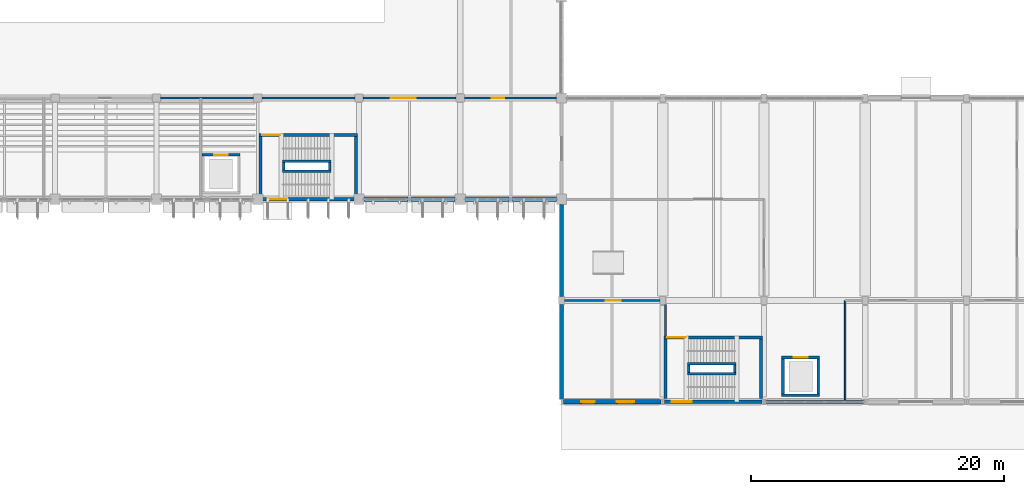
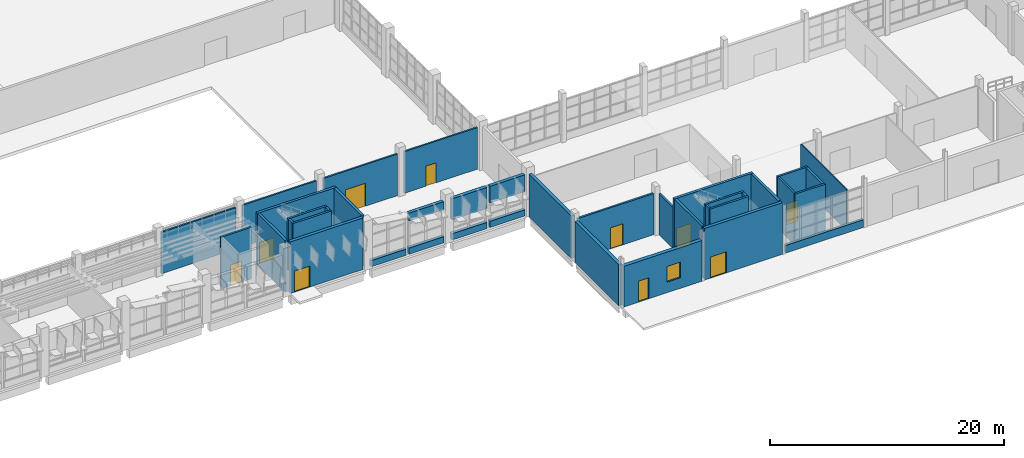
# One storey, part 74 of 103: 39 walls, 10 doors, 1 window, 11 openings.
"""IFC4 building model written with IfcOpenShell, lengths in metres."""

from ifc_helpers import new_model, si_unit, direction, frame, frame_2d, origin, place, context, subcontext, project, spatial, rectangle, extrude, material, layer, layer_set, type_object, element, fill, save


model = new_model("IFC4")

# Units and contexts
model_context = context("Model", 3, precision=1e-05, world=origin(), true_north=direction((0.0, 1.0)))
body_context = subcontext(model_context, "Body", "Model", "MODEL_VIEW")
ifc_project = project(units=[si_unit("LENGTHUNIT", "METRE"), si_unit("AREAUNIT", "SQUARE_METRE"), si_unit("VOLUMEUNIT", "CUBIC_METRE"), si_unit("PLANEANGLEUNIT", "RADIAN"), si_unit("MASSUNIT", "GRAM", prefix="KILO")], contexts=[model_context])

# Site, building, storey
site_placement = place(None, origin())
site = spatial("IfcSite", under=ifc_project, at=site_placement, CompositionType="ELEMENT")
building_placement = place(site_placement, origin())
building = spatial("IfcBuilding", under=site, at=building_placement, Name="Drelvana Railside Aquatics Centre", CompositionType="ELEMENT")
storey_placement = place(building_placement, origin())
storey = spatial("IfcBuildingStorey", under=building, at=storey_placement, Name="L00", CompositionType="ELEMENT", Elevation=0.0)

# Wall, opening, door
ifc_material_1 = material(Name="Concrete blockwork compartment wall", Category="masonry")
ifc_layer_1 = layer(ifc_material_1, 0.18505859375, Name="Concrete blockwork compartment wall")
ifc_layer_set_1 = layer_set([ifc_layer_1], Name="Concrete blockwork compartment wall")
wall_type_1 = type_object("IfcWallType", Name="WL-COMP-185", PredefinedType="STANDARD", material=ifc_layer_set_1)
wall_1_placement = place(storey_placement, frame((96.22705078125, 8.0, 0.0), z_axis=(0.0, 0.0, 1.0), x_axis=(1.0, 0.0, 0.0)))
wall_1 = element("IfcWall", 1, at=wall_1_placement, inside=storey, type_object=wall_type_1, Name="Fire Control Room north wall", PredefinedType="STANDARD", context=body_context, shape_type="SweptSolid", body=[
    extrude(rectangle(XDim=7.5458984375, YDim=0.18505859375, at=frame_2d((3.77294921875, 0.0))), origin(), (0.0, 0.0, 1.0), 4.304931640625),
])
opening_1_placement = place(wall_1_placement, frame((3.27294921875, 0.0, 0.0)))
opening_1 = element("IfcOpeningElement", 2, at=opening_1_placement, cuts=wall_1, Name="Opening D-02-136", PredefinedType="OPENING", context=body_context, shape_type="SweptSolid", body=[
    extrude(rectangle(XDim=1.199951171875, YDim=2.199951171875, at=frame_2d((0.60009765625, 1.10009765625))), frame((0.0, 0.1025390625, 0.0), z_axis=(0.0, -1.0, 0.0), x_axis=(1.0, 0.0, 0.0)), (0.0, 0.0, 1.0), 0.205078125),
])
ifc_material_2 = material(Name="Fire-rated steel stair door", Category="steel")
door_type_1 = type_object("IfcDoorType", Name="DR-INT-STAIR-1200x2200", OperationType="NOTDEFINED", PredefinedType="DOOR", material=ifc_material_2)
door_1_placement = place(opening_1_placement, origin())
door_1 = element("IfcDoor", 3, at=door_1_placement, inside=storey, type_object=door_type_1, Name="Fire Control Room lobby door D-02-136", OperationType="SINGLE_SWING_LEFT", OverallHeight=2.199951171875, OverallWidth=1.199951171875, PredefinedType="DOOR", context=body_context, shape_type="SweptSolid", body=[
    extrude(rectangle(XDim=1.199951171875, YDim=2.199951171875, at=frame_2d((0.60009765625, 1.10009765625))), frame((0.0, 0.02490234375, 0.0), z_axis=(0.0, -1.0, 0.0), x_axis=(1.0, 0.0, 0.0)), (0.0, 0.0, 1.0), 0.050048828125),
])
fill(opening_1, door_1)

# Wall
wall_2_placement = place(storey_placement, frame((104.219970703125, 5.201904296875, 0.0), z_axis=(0.0, 0.0, 1.0), x_axis=(0.0, 1.0, 0.0)))
element("IfcWall", 4, at=wall_2_placement, inside=storey, type_object=wall_type_1, Name="Fire Control Room east closure", PredefinedType="STANDARD", context=body_context, shape_type="SweptSolid", body=[
    extrude(rectangle(XDim=2.47119140625, YDim=0.18505859375, at=frame_2d((1.235595703125, 0.0))), origin(), (0.0, 0.0, 1.0), 4.304931640625),
])

# Wall, opening, door
ifc_material_3 = material(Name="Concrete C40/50", Category="concrete")
ifc_layer_2 = layer(ifc_material_3, 0.25, Name="Concrete C40/50")
ifc_layer_set_2 = layer_set([ifc_layer_2], Name="Concrete C40/50")
wall_type_2 = type_object("IfcWallType", Name="WL-CORE-250", PredefinedType="SHEAR", material=ifc_layer_set_2)
wall_3_placement = place(storey_placement, frame((72.10009765625, 21.074951171875, 0.0), z_axis=(0.0, 0.0, 1.0), x_axis=(1.0, 0.0, 0.0)))
wall_3 = element("IfcWall", 5, at=wall_3_placement, inside=storey, type_object=wall_type_2, Name="Core 2 South-East Pool Hall N core wall (L00)", PredefinedType="SHEAR", context=body_context, shape_type="SweptSolid", body=[
    extrude(rectangle(XDim=7.7998046875, YDim=0.25, at=frame_2d((3.89990234375, 0.0))), origin(), (0.0, 0.0, 1.0), 5.39990234375),
])
opening_2_placement = place(wall_3_placement, frame((0.25, 0.0, 0.0)))
opening_2 = element("IfcOpeningElement", 6, at=opening_2_placement, cuts=wall_3, Name="Opening D-01-010", PredefinedType="OPENING", context=body_context, shape_type="SweptSolid", body=[
    extrude(rectangle(XDim=1.449951171875, YDim=2.199951171875, at=frame_2d((0.72509765625, 1.10009765625))), frame((0.0, 0.135009765625, 0.0), z_axis=(0.0, -1.0, 0.0), x_axis=(1.0, 0.0, 0.0)), (0.0, 0.0, 1.0), 0.27001953125),
])
ifc_material_4 = material(Name="Fire-rated steel and vision-panel door", Category="steel")
door_type_2 = type_object("IfcDoorType", Name="DR-INT-STAIR-1450x2200", OperationType="DOUBLE_DOOR_SINGLE_SWING", PredefinedType="DOOR", material=ifc_material_4)
door_2_placement = place(opening_2_placement, origin())
door_2 = element("IfcDoor", 7, at=door_2_placement, inside=storey, type_object=door_type_2, Name="Stair ST-02 lobby door D-01-010", OperationType="DOUBLE_DOOR_SINGLE_SWING", OverallHeight=2.199951171875, OverallWidth=1.449951171875, PredefinedType="DOOR", context=body_context, shape_type="SweptSolid", body=[
    extrude(rectangle(XDim=1.449951171875, YDim=2.199951171875, at=frame_2d((0.72509765625, 1.10009765625))), frame((0.0, 0.02490234375, 0.0), z_axis=(0.0, -1.0, 0.0), x_axis=(1.0, 0.0, 0.0)), (0.0, 0.0, 1.0), 0.050048828125),
])
fill(opening_2, door_2)

# Walls
for number, where, z_axis, x_axis, name in (
    (8, (72.22509765625, 16.25, 0.0), (0.0, 0.0, 1.0), (0.0, 1.0, 0.0), "Core 2 South-East Pool Hall W core wall (L00)"),
    (9, (79.77490234375, 16.25, 0.0), (0.0, 0.0, 1.0), (0.0, 1.0, 0.0), "Core 2 South-East Pool Hall E core wall (L00)"),
):
    element("IfcWall", number, at=place(storey_placement, frame(where, z_axis=z_axis, x_axis=x_axis)), inside=storey, type_object=wall_type_2, Name=name, PredefinedType="SHEAR", context=body_context, shape_type="SweptSolid", body=[
        extrude(rectangle(XDim=4.699951171875, YDim=0.25, at=frame_2d((2.35009765625, 0.0))), origin(), (0.0, 0.0, 1.0), 5.39990234375),
    ])

# Wall, opening, door
wall_4_placement = place(storey_placement, frame((104.10009765625, 5.074951171875, 0.0), z_axis=(0.0, 0.0, 1.0), x_axis=(1.0, 0.0, 0.0)))
wall_4 = element("IfcWall", 10, at=wall_4_placement, inside=storey, type_object=wall_type_2, Name="Core 4 Entrance Foyer South N core wall (L00)", PredefinedType="SHEAR", context=body_context, shape_type="SweptSolid", body=[
    extrude(rectangle(XDim=7.7998046875, YDim=0.25, at=frame_2d((3.89990234375, 0.0))), origin(), (0.0, 0.0, 1.0), 5.39990234375),
])
opening_3_placement = place(wall_4_placement, frame((0.25, 0.0, 0.0)))
opening_3 = element("IfcOpeningElement", 11, at=opening_3_placement, cuts=wall_4, Name="Opening D-01-026", PredefinedType="OPENING", context=body_context, shape_type="SweptSolid", body=[
    extrude(rectangle(XDim=1.449951171875, YDim=2.199951171875, at=frame_2d((0.72509765625, 1.10009765625))), frame((0.0, 0.135009765625, 0.0), z_axis=(0.0, -1.0, 0.0), x_axis=(1.0, 0.0, 0.0)), (0.0, 0.0, 1.0), 0.27001953125),
])
door_3_placement = place(opening_3_placement, origin())
door_3 = element("IfcDoor", 12, at=door_3_placement, inside=storey, type_object=door_type_2, Name="Stair ST-04 lobby door D-01-026", OperationType="DOUBLE_DOOR_SINGLE_SWING", OverallHeight=2.199951171875, OverallWidth=1.449951171875, PredefinedType="DOOR", context=body_context, shape_type="SweptSolid", body=[
    extrude(rectangle(XDim=1.449951171875, YDim=2.199951171875, at=frame_2d((0.72509765625, 1.10009765625))), frame((0.0, 0.02490234375, 0.0), z_axis=(0.0, -1.0, 0.0), x_axis=(1.0, 0.0, 0.0)), (0.0, 0.0, 1.0), 0.050048828125),
])
fill(opening_3, door_3)

# Walls
for number, where, z_axis, x_axis, name in (
    (13, (104.22509765625, 0.25, 0.0), (0.0, 0.0, 1.0), (0.0, 1.0, 0.0), "Core 4 Entrance Foyer South W core wall (L00)"),
    (14, (111.77490234375, 0.25, 0.0), (0.0, 0.0, 1.0), (0.0, 1.0, 0.0), "Core 4 Entrance Foyer South E core wall (L00)"),
):
    element("IfcWall", number, at=place(storey_placement, frame(where, z_axis=z_axis, x_axis=x_axis)), inside=storey, type_object=wall_type_2, Name=name, PredefinedType="SHEAR", context=body_context, shape_type="SweptSolid", body=[
        extrude(rectangle(XDim=4.699951171875, YDim=0.25, at=frame_2d((2.35009765625, 0.0))), origin(), (0.0, 0.0, 1.0), 5.39990234375),
    ])

# Wall, opening, door
ifc_layer_3 = layer(ifc_material_3, 0.300048828125, Name="Concrete C40/50")
ifc_layer_set_3 = layer_set([ifc_layer_3], Name="Concrete C40/50")
wall_type_3 = type_object("IfcWallType", Name="WL-CORE-300", PredefinedType="SHEAR", material=ifc_layer_set_3)
wall_5_placement = place(storey_placement, frame((72.39599609375, 16.0, 0.0), z_axis=(0.0, 0.0, 1.0), x_axis=(1.0, 0.0, 0.0)))
wall_5 = element("IfcWall", 15, at=wall_5_placement, inside=storey, type_object=wall_type_3, Name="Pool Hall south core shear wall 8", PredefinedType="SHEAR", context=body_context, shape_type="SweptSolid", body=[
    extrude(rectangle(XDim=7.2080078125, YDim=0.300048828125, at=frame_2d((3.60400390625, 0.0))), origin(), (0.0, 0.0, 1.0), 5.39990234375),
])
opening_4_placement = place(wall_5_placement, frame((0.404052734375, 0.0, 0.0)))
opening_4 = element("IfcOpeningElement", 16, at=opening_4_placement, cuts=wall_5, Name="Opening EX-03-002", PredefinedType="OPENING", context=body_context, shape_type="SweptSolid", body=[
    extrude(rectangle(XDim=1.550048828125, YDim=2.199951171875, at=frame_2d((0.77490234375, 1.10009765625))), frame((0.0, 0.159912109375, 0.0), z_axis=(0.0, -1.0, 0.0), x_axis=(1.0, 0.0, 0.0)), (0.0, 0.0, 1.0), 0.320068359375),
])
ifc_material_5 = material(Name="Thermally broken bronze-anodised aluminium and glazed door", Category="aluminium")
door_type_3 = type_object("IfcDoorType", Name="DR-EXT-EXIT-1550x2200", OperationType="DOUBLE_DOOR_SINGLE_SWING", PredefinedType="DOOR", material=ifc_material_5)
door_4_placement = place(opening_4_placement, frame((1.550048828125, 0.0, 0.0), z_axis=(0.0, 0.0, 1.0), x_axis=(-1.0, 0.0, 0.0)))
door_4 = element("IfcDoor", 17, at=door_4_placement, inside=storey, type_object=door_type_3, Name="Stair final exit door EX-03-002", OperationType="DOUBLE_DOOR_SINGLE_SWING", OverallHeight=2.199951171875, OverallWidth=1.550048828125, PredefinedType="DOOR", context=body_context, shape_type="SweptSolid", body=[
    extrude(rectangle(XDim=1.550048828125, YDim=2.199951171875, at=frame_2d((0.77490234375, 1.10009765625))), frame((0.0, 0.02490234375, 0.0), z_axis=(0.0, -1.0, 0.0), x_axis=(1.0, 0.0, 0.0)), (0.0, 0.0, 1.0), 0.050048828125),
])
fill(opening_4, door_4)

wall_6_placement = place(storey_placement, frame((104.14599609375, 0.0, 0.0), z_axis=(0.0, 0.0, 1.0), x_axis=(1.0, 0.0, 0.0)))
wall_6 = element("IfcWall", 18, at=wall_6_placement, inside=storey, type_object=wall_type_3, Name="Core south L00 shear wall 104", PredefinedType="SHEAR", context=body_context, shape_type="SweptSolid", body=[
    extrude(rectangle(XDim=7.7080078125, YDim=0.300048828125, at=frame_2d((3.85400390625, 0.0))), origin(), (0.0, 0.0, 1.0), 5.39990234375),
])
opening_5_placement = place(wall_6_placement, frame((0.583984375, 0.0, 0.0)))
opening_5 = element("IfcOpeningElement", 19, at=opening_5_placement, cuts=wall_6, Name="Opening EX-03-009", PredefinedType="OPENING", context=body_context, shape_type="SweptSolid", body=[
    extrude(rectangle(XDim=1.550048828125, YDim=2.199951171875, at=frame_2d((0.77490234375, 1.10009765625))), frame((0.0, 0.159912109375, 0.0), z_axis=(0.0, -1.0, 0.0), x_axis=(1.0, 0.0, 0.0)), (0.0, 0.0, 1.0), 0.320068359375),
])
door_5_placement = place(opening_5_placement, frame((1.550048828125, 0.0, 0.0), z_axis=(0.0, 0.0, 1.0), x_axis=(-1.0, 0.0, 0.0)))
door_5 = element("IfcDoor", 20, at=door_5_placement, inside=storey, type_object=door_type_3, Name="Stair final exit door 104 EX-03-009", OperationType="DOUBLE_DOOR_SINGLE_SWING", OverallHeight=2.199951171875, OverallWidth=1.550048828125, PredefinedType="DOOR", context=body_context, shape_type="SweptSolid", body=[
    extrude(rectangle(XDim=1.550048828125, YDim=2.199951171875, at=frame_2d((0.77490234375, 1.10009765625))), frame((0.0, 0.02490234375, 0.0), z_axis=(0.0, -1.0, 0.0), x_axis=(1.0, 0.0, 0.0)), (0.0, 0.0, 1.0), 0.050048828125),
])
fill(opening_5, door_5)

# Walls
ifc_material_6 = material(Name="Acoustic twin-stud gypsum partition", Category="gypsum")
ifc_layer_4 = layer(ifc_material_6, 0.1201171875, Name="Acoustic twin-stud gypsum partition")
ifc_layer_set_4 = layer_set([ifc_layer_4], Name="Acoustic twin-stud gypsum partition")
wall_type_4 = type_object("IfcWallType", Name="WL-DRY-120", PredefinedType="PARTITIONING", material=ifc_layer_set_4)
wall_7_placement = place(storey_placement, frame((118.39990234375, 0.14990234375, 0.0), z_axis=(0.0, 0.0, 1.0), x_axis=(0.0, 1.0, 0.0)))
element("IfcWall", 21, at=wall_7_placement, inside=storey, type_object=wall_type_4, Name="Foyer retail divider", PredefinedType="PARTITIONING", context=body_context, shape_type="SweptSolid", body=[
    extrude(rectangle(XDim=7.85009765625, YDim=0.1201171875, at=frame_2d((3.925048828125, 0.0))), origin(), (0.0, 0.0, 1.0), 4.304931640625),
])
ifc_material_7 = material(Name="Glazed ceramic spandrel wall", Category="masonry")
ifc_layer_5 = layer(ifc_material_7, 0.27001953125, Name="Glazed ceramic spandrel wall")
ifc_layer_set_5 = layer_set([ifc_layer_5], Name="Glazed ceramic spandrel wall")
wall_type_5 = type_object("IfcWallType", Name="WL-EXT-270", PredefinedType="STANDARD", material=ifc_layer_set_5)
wall_8_placement = place(storey_placement, frame((112.14599609375, 0.0, 0.0), z_axis=(0.0, 0.0, 1.0), x_axis=(1.0, 0.0, 0.0)))
element("IfcWall", 22, at=wall_8_placement, inside=storey, type_object=wall_type_5, Name="Cafe and reception street plinth", PredefinedType="STANDARD", context=body_context, shape_type="SweptSolid", body=[
    extrude(rectangle(XDim=7.7080078125, YDim=0.27001953125, at=frame_2d((3.85400390625, 0.0))), origin(), (0.0, 0.0, 1.0), 0.800048828125),
])
ifc_material_8 = material(Name="Terracotta rainscreen masonry wall", Category="masonry")
ifc_layer_6 = layer(ifc_material_8, 0.31005859375, Name="Terracotta rainscreen masonry wall")
ifc_layer_set_6 = layer_set([ifc_layer_6], Name="Terracotta rainscreen masonry wall")
wall_type_6 = type_object("IfcWallType", Name="WL-EXT-310", PredefinedType="STANDARD", material=ifc_layer_set_6)
wall_9_placement = place(storey_placement, frame((96.0, 0.196044921875, 0.0), z_axis=(0.0, 0.0, 1.0), x_axis=(0.0, 1.0, 0.0)))
element("IfcWall", 23, at=wall_9_placement, inside=storey, type_object=wall_type_6, Name="Foyer side gable wall", PredefinedType="STANDARD", context=body_context, shape_type="SweptSolid", body=[
    extrude(rectangle(XDim=7.48291015625, YDim=0.31005859375, at=frame_2d((3.741455078125, 0.0))), origin(), (0.0, 0.0, 1.0), 4.304931640625),
])
wall_10_placement = place(storey_placement, frame((96.0, 8.321044921875, 0.0), z_axis=(0.0, 0.0, 1.0), x_axis=(0.0, 1.0, 0.0)))
element("IfcWall", 24, at=wall_10_placement, inside=storey, type_object=wall_type_6, Name="Foyer side gable wall", PredefinedType="STANDARD", context=body_context, shape_type="SweptSolid", body=[
    extrude(rectangle(XDim=7.282958984375, YDim=0.31005859375, at=frame_2d((3.6416015625, 0.0))), origin(), (0.0, 0.0, 1.0), 4.449951171875),
])
ifc_material_9 = material(Name="Abuja granite ashlar cavity wall", Category="masonry")
ifc_layer_7 = layer(ifc_material_9, 0.330078125, Name="Abuja granite ashlar cavity wall")
ifc_layer_set_7 = layer_set([ifc_layer_7], Name="Abuja granite ashlar cavity wall")
wall_type_7 = type_object("IfcWallType", Name="WL-EXT-330", PredefinedType="STANDARD", material=ifc_layer_set_7)
for number, where, z_axis, x_axis, name in (
    (25, (80.39599609375, 16.0, 0.0), (0.0, 0.0, 1.0), (1.0, 0.0, 0.0), "Pool Hall south plinth wall 9.1"),
    (26, (84.139892578125, 16.0, 0.0), (0.0, 0.0, 1.0), (1.0, 0.0, 0.0), "Pool Hall south plinth wall 9.2"),
):
    element("IfcWall", number, at=place(storey_placement, frame(where, z_axis=z_axis, x_axis=x_axis)), inside=storey, type_object=wall_type_7, Name=name, PredefinedType="STANDARD", context=body_context, shape_type="SweptSolid", body=[
        extrude(rectangle(XDim=3.464111328125, YDim=0.330078125, at=frame_2d((1.73193359375, 0.0))), origin(), (0.0, 0.0, 1.0), 0.64990234375),
    ])
wall_11_placement = place(storey_placement, frame((84.139892578125, 16.0, 3.471923828125), z_axis=(0.0, 0.0, 1.0), x_axis=(1.0, 0.0, 0.0)))
element("IfcWall", 27, at=wall_11_placement, inside=storey, type_object=wall_type_7, Name="Pool Hall south sine-wave spandrel 9.2", PredefinedType="STANDARD", context=body_context, shape_type="SweptSolid", body=[
    extrude(rectangle(XDim=3.464111328125, YDim=0.330078125, at=frame_2d((1.73193359375, 0.0))), origin(), (0.0, 0.0, 1.0), 0.8330078125),
])
for number, where, z_axis, x_axis, name in (
    (28, (88.39599609375, 16.0, 0.0), (0.0, 0.0, 1.0), (1.0, 0.0, 0.0), "Pool Hall south plinth wall 10.1"),
    (29, (92.139892578125, 16.0, 0.0), (0.0, 0.0, 1.0), (1.0, 0.0, 0.0), "Pool Hall south plinth wall 10.2"),
):
    element("IfcWall", number, at=place(storey_placement, frame(where, z_axis=z_axis, x_axis=x_axis)), inside=storey, type_object=wall_type_7, Name=name, PredefinedType="STANDARD", context=body_context, shape_type="SweptSolid", body=[
        extrude(rectangle(XDim=3.464111328125, YDim=0.330078125, at=frame_2d((1.73193359375, 0.0))), origin(), (0.0, 0.0, 1.0), 0.64990234375),
    ])
wall_12_placement = place(storey_placement, frame((88.39599609375, 16.0, 2.095947265625), z_axis=(0.0, 0.0, 1.0), x_axis=(1.0, 0.0, 0.0)))
element("IfcWall", 30, at=wall_12_placement, inside=storey, type_object=wall_type_7, Name="Pool Hall south sine-wave spandrel 10.1", PredefinedType="STANDARD", context=body_context, shape_type="SweptSolid", body=[
    extrude(rectangle(XDim=3.464111328125, YDim=0.330078125, at=frame_2d((1.73193359375, 0.0))), origin(), (0.0, 0.0, 1.0), 2.208984375),
])
wall_13_placement = place(storey_placement, frame((92.139892578125, 16.0, 2.549072265625), z_axis=(0.0, 0.0, 1.0), x_axis=(1.0, 0.0, 0.0)))
element("IfcWall", 31, at=wall_13_placement, inside=storey, type_object=wall_type_7, Name="Pool Hall south sine-wave spandrel 10.2", PredefinedType="STANDARD", context=body_context, shape_type="SweptSolid", body=[
    extrude(rectangle(XDim=3.464111328125, YDim=0.330078125, at=frame_2d((1.73193359375, 0.0))), origin(), (0.0, 0.0, 1.0), 1.755859375),
])

# Wall, openings, door, window
ifc_material_10 = material(Name="Polychrome brick and stone cavity wall", Category="masonry")
ifc_layer_8 = layer(ifc_material_10, 0.360107421875, Name="Polychrome brick and stone cavity wall")
ifc_layer_set_8 = layer_set([ifc_layer_8], Name="Polychrome brick and stone cavity wall")
wall_type_8 = type_object("IfcWallType", Name="WL-EXT-360", PredefinedType="STANDARD", material=ifc_layer_set_8)
wall_14_placement = place(storey_placement, frame((96.14599609375, 0.0, 0.0), z_axis=(0.0, 0.0, 1.0), x_axis=(1.0, 0.0, 0.0)))
wall_14 = element("IfcWall", 32, at=wall_14_placement, inside=storey, type_object=wall_type_8, Name="Fire Control Room south facade wall", PredefinedType="STANDARD", context=body_context, shape_type="SweptSolid", body=[
    extrude(rectangle(XDim=7.7080078125, YDim=0.360107421875, at=frame_2d((3.85400390625, 0.0))), origin(), (0.0, 0.0, 1.0), 4.25),
])
opening_6_placement = place(wall_14_placement, frame((1.43408203125, 0.0, 0.0)))
opening_6 = element("IfcOpeningElement", 33, at=opening_6_placement, cuts=wall_14, Name="Opening EX-08-008", PredefinedType="OPENING", context=body_context, shape_type="SweptSolid", body=[
    extrude(rectangle(XDim=1.050048828125, YDim=2.199951171875, at=frame_2d((0.52490234375, 1.10009765625))), frame((0.0, 0.18994140625, 0.0), z_axis=(0.0, -1.0, 0.0), x_axis=(1.0, 0.0, 0.0)), (0.0, 0.0, 1.0), 0.380126953125),
])
opening_7_placement = place(wall_14_placement, frame((4.23388671875, 0.0, 1.10009765625)))
opening_7 = element("IfcOpeningElement", 34, at=opening_7_placement, cuts=wall_14, Name="Opening W-14", PredefinedType="OPENING", context=body_context, shape_type="SweptSolid", body=[
    extrude(rectangle(XDim=1.35009765625, YDim=1.64990234375, at=frame_2d((0.675048828125, 0.824951171875))), frame((0.0, 0.18994140625, 0.0), z_axis=(0.0, -1.0, 0.0), x_axis=(1.0, 0.0, 0.0)), (0.0, 0.0, 1.0), 0.380126953125),
])
door_type_4 = type_object("IfcDoorType", Name="DR-EXT-FCR-1050x2200", OperationType="NOTDEFINED", PredefinedType="DOOR", material=ifc_material_5)
door_6_placement = place(opening_6_placement, frame((1.050048828125, 0.0, 0.0), z_axis=(0.0, 0.0, 1.0), x_axis=(-1.0, 0.0, 0.0)))
door_6 = element("IfcDoor", 35, at=door_6_placement, inside=storey, type_object=door_type_4, Name="Fire Control Room exterior access door EX-08-008", OperationType="SINGLE_SWING_LEFT", OverallHeight=2.199951171875, OverallWidth=1.050048828125, PredefinedType="DOOR", context=body_context, shape_type="SweptSolid", body=[
    extrude(rectangle(XDim=1.050048828125, YDim=2.199951171875, at=frame_2d((0.52490234375, 1.10009765625))), frame((0.0, 0.02490234375, 0.0), z_axis=(0.0, -1.0, 0.0), x_axis=(1.0, 0.0, 0.0)), (0.0, 0.0, 1.0), 0.050048828125),
])
fill(opening_6, door_6)
ifc_material_11 = material(Name="Double-glazed solar-control aluminium window", Category="aluminium")
window_type = type_object("IfcWindowType", Name="WIN-14", PartitioningType="SINGLE_PANEL", PredefinedType="WINDOW", material=ifc_material_11)
window_placement = place(opening_7_placement, origin())
window = element("IfcWindow", 36, at=window_placement, inside=storey, type_object=window_type, Name="Fire Control Room observation window WIN-14", OverallHeight=1.64990234375, OverallWidth=1.35009765625, PartitioningType="SINGLE_PANEL", PredefinedType="WINDOW", context=body_context, shape_type="SweptSolid", body=[
    extrude(rectangle(XDim=1.35009765625, YDim=1.64990234375, at=frame_2d((0.675048828125, 0.824951171875))), frame((0.0, 0.030029296875, 0.0), z_axis=(0.0, -1.0, 0.0), x_axis=(1.0, 0.0, 0.0)), (0.0, 0.0, 1.0), 0.06005859375),
])
fill(opening_7, window)

# Walls
ifc_layer_9 = layer(ifc_material_3, 0.199951171875, Name="Concrete C40/50")
ifc_layer_set_9 = layer_set([ifc_layer_9], Name="Concrete C40/50")
wall_type_9 = type_object("IfcWallType", Name="WL-SHFT-200", PredefinedType="SHEAR", material=ifc_layer_set_9)
for number, where, z_axis, x_axis, name in (
    (37, (73.969970703125, 18.199951171875, 0.0), (0.0, 0.0, 1.0), (1.0, 0.0, 0.0), "Stair ST-02 central spine wall A (L00)"),
    (38, (73.969970703125, 19.0, 0.0), (0.0, 0.0, 1.0), (1.0, 0.0, 0.0), "Stair ST-02 central spine wall B (L00)"),
):
    element("IfcWall", number, at=place(storey_placement, frame(where, z_axis=z_axis, x_axis=x_axis)), inside=storey, type_object=wall_type_9, Name=name, PredefinedType="SHEAR", context=body_context, shape_type="SweptSolid", body=[
        extrude(rectangle(XDim=3.820068359375, YDim=0.199951171875, at=frame_2d((1.91015625, 0.0))), origin(), (0.0, 0.0, 1.0), 5.39990234375),
    ])
for number, where, z_axis, x_axis, name in (
    (39, (74.070068359375, 18.300048828125, 0.0), (0.0, 0.0, 1.0), (0.0, 1.0, 0.0), "Stair ST-02 central spine wall W (L00)"),
    (40, (77.68994140625, 18.300048828125, 0.0), (0.0, 0.0, 1.0), (0.0, 1.0, 0.0), "Stair ST-02 central spine wall E (L00)"),
):
    element("IfcWall", number, at=place(storey_placement, frame(where, z_axis=z_axis, x_axis=x_axis)), inside=storey, type_object=wall_type_9, Name=name, PredefinedType="SHEAR", context=body_context, shape_type="SweptSolid", body=[
        extrude(rectangle(XDim=0.599853515625, YDim=0.199951171875, at=frame_2d((0.2998046875, 0.0))), origin(), (0.0, 0.0, 1.0), 5.39990234375),
    ])

# Wall, opening, door
wall_15_placement = place(storey_placement, frame((67.60009765625, 19.5, 0.0), z_axis=(0.0, 0.0, 1.0), x_axis=(1.0, 0.0, 0.0)))
wall_15 = element("IfcWall", 41, at=wall_15_placement, inside=storey, type_object=wall_type_9, Name="Lift LP-02 N shaft wall (L00)", PredefinedType="SHEAR", context=body_context, shape_type="SweptSolid", body=[
    extrude(rectangle(XDim=3.0, YDim=0.199951171875, at=frame_2d((1.5, 0.0))), origin(), (0.0, 0.0, 1.0), 5.39990234375),
])
opening_8_placement = place(wall_15_placement, frame((0.949951171875, 0.0, 0.0)))
opening_8 = element("IfcOpeningElement", 42, at=opening_8_placement, cuts=wall_15, Name="Opening LD-01-014", PredefinedType="OPENING", context=body_context, shape_type="SweptSolid", body=[
    extrude(rectangle(XDim=1.10009765625, YDim=2.199951171875, at=frame_2d((0.550048828125, 1.10009765625))), frame((0.0, 0.10986328125, 0.0), z_axis=(0.0, -1.0, 0.0), x_axis=(1.0, 0.0, 0.0)), (0.0, 0.0, 1.0), 0.219970703125),
])
ifc_material_12 = material(Name="Stainless steel lift landing sliding door", Category="steel")
door_type_5 = type_object("IfcDoorType", Name="DR-LIFT-LD-1100x2200", OperationType="SLIDING_TO_LEFT", PredefinedType="DOOR", material=ifc_material_12)
door_7_placement = place(opening_8_placement, origin())
door_7 = element("IfcDoor", 43, at=door_7_placement, inside=storey, type_object=door_type_5, Name="Lift LP-02 landing door LD-01-014", OperationType="SLIDING_TO_LEFT", OverallHeight=2.199951171875, OverallWidth=1.10009765625, PredefinedType="DOOR", context=body_context, shape_type="SweptSolid", body=[
    extrude(rectangle(XDim=1.10009765625, YDim=2.199951171875, at=frame_2d((0.550048828125, 1.10009765625))), frame((0.0, 0.02490234375, 0.0), z_axis=(0.0, -1.0, 0.0), x_axis=(1.0, 0.0, 0.0)), (0.0, 0.0, 1.0), 0.050048828125),
])
fill(opening_8, door_7)

# Walls
for number, where, z_axis, x_axis, name in (
    (44, (105.969970703125, 2.199951171875, 0.0), (0.0, 0.0, 1.0), (1.0, 0.0, 0.0), "Stair ST-04 central spine wall A (L00)"),
    (45, (105.969970703125, 3.0, 0.0), (0.0, 0.0, 1.0), (1.0, 0.0, 0.0), "Stair ST-04 central spine wall B (L00)"),
):
    element("IfcWall", number, at=place(storey_placement, frame(where, z_axis=z_axis, x_axis=x_axis)), inside=storey, type_object=wall_type_9, Name=name, PredefinedType="SHEAR", context=body_context, shape_type="SweptSolid", body=[
        extrude(rectangle(XDim=3.820068359375, YDim=0.199951171875, at=frame_2d((1.91015625, 0.0))), origin(), (0.0, 0.0, 1.0), 5.39990234375),
    ])
for number, where, z_axis, x_axis, name in (
    (46, (106.070068359375, 2.300048828125, 0.0), (0.0, 0.0, 1.0), (0.0, 1.0, 0.0), "Stair ST-04 central spine wall W (L00)"),
    (47, (109.68994140625, 2.300048828125, 0.0), (0.0, 0.0, 1.0), (0.0, 1.0, 0.0), "Stair ST-04 central spine wall E (L00)"),
):
    element("IfcWall", number, at=place(storey_placement, frame(where, z_axis=z_axis, x_axis=x_axis)), inside=storey, type_object=wall_type_9, Name=name, PredefinedType="SHEAR", context=body_context, shape_type="SweptSolid", body=[
        extrude(rectangle(XDim=0.599853515625, YDim=0.199951171875, at=frame_2d((0.2998046875, 0.0))), origin(), (0.0, 0.0, 1.0), 5.39990234375),
    ])
wall_16_placement = place(storey_placement, frame((113.39990234375, 0.5, 0.0), z_axis=(0.0, 0.0, 1.0), x_axis=(1.0, 0.0, 0.0)))
element("IfcWall", 48, at=wall_16_placement, inside=storey, type_object=wall_type_9, Name="Lift LP-03 S shaft wall (L00)", PredefinedType="SHEAR", context=body_context, shape_type="SweptSolid", body=[
    extrude(rectangle(XDim=3.0, YDim=0.199951171875, at=frame_2d((1.5, 0.0))), origin(), (0.0, 0.0, 1.0), 5.39990234375),
])

# Wall, opening, door
wall_17_placement = place(storey_placement, frame((113.39990234375, 3.5, 0.0), z_axis=(0.0, 0.0, 1.0), x_axis=(1.0, 0.0, 0.0)))
wall_17 = element("IfcWall", 49, at=wall_17_placement, inside=storey, type_object=wall_type_9, Name="Lift LP-03 N shaft wall (L00)", PredefinedType="SHEAR", context=body_context, shape_type="SweptSolid", body=[
    extrude(rectangle(XDim=3.0, YDim=0.199951171875, at=frame_2d((1.5, 0.0))), origin(), (0.0, 0.0, 1.0), 5.39990234375),
])
opening_9_placement = place(wall_17_placement, frame((0.949951171875, 0.0, 0.0)))
opening_9 = element("IfcOpeningElement", 50, at=opening_9_placement, cuts=wall_17, Name="Opening LD-01-029", PredefinedType="OPENING", context=body_context, shape_type="SweptSolid", body=[
    extrude(rectangle(XDim=1.10009765625, YDim=2.199951171875, at=frame_2d((0.550048828125, 1.10009765625))), frame((0.0, 0.10986328125, 0.0), z_axis=(0.0, -1.0, 0.0), x_axis=(1.0, 0.0, 0.0)), (0.0, 0.0, 1.0), 0.219970703125),
])
door_8_placement = place(opening_9_placement, origin())
door_8 = element("IfcDoor", 51, at=door_8_placement, inside=storey, type_object=door_type_5, Name="Lift LP-03 landing door LD-01-029", OperationType="SLIDING_TO_LEFT", OverallHeight=2.199951171875, OverallWidth=1.10009765625, PredefinedType="DOOR", context=body_context, shape_type="SweptSolid", body=[
    extrude(rectangle(XDim=1.10009765625, YDim=2.199951171875, at=frame_2d((0.550048828125, 1.10009765625))), frame((0.0, 0.02490234375, 0.0), z_axis=(0.0, -1.0, 0.0), x_axis=(1.0, 0.0, 0.0)), (0.0, 0.0, 1.0), 0.050048828125),
])
fill(opening_9, door_8)

# Walls
for number, where, z_axis, x_axis, name in (
    (52, (113.5, 0.60009765625, 0.0), (0.0, 0.0, 1.0), (0.0, 1.0, 0.0), "Lift LP-03 W shaft wall (L00)"),
    (53, (116.300048828125, 0.60009765625, 0.0), (0.0, 0.0, 1.0), (0.0, 1.0, 0.0), "Lift LP-03 E shaft wall (L00)"),
):
    element("IfcWall", number, at=place(storey_placement, frame(where, z_axis=z_axis, x_axis=x_axis)), inside=storey, type_object=wall_type_9, Name=name, PredefinedType="SHEAR", context=body_context, shape_type="SweptSolid", body=[
        extrude(rectangle(XDim=2.7998046875, YDim=0.199951171875, at=frame_2d((1.39990234375, 0.0))), origin(), (0.0, 0.0, 1.0), 5.39990234375),
    ])
ifc_material_13 = material(Name="Water-resistant ceramic-tiled block partition", Category="masonry")
ifc_layer_10 = layer(ifc_material_13, 0.159912109375, Name="Water-resistant ceramic-tiled block partition")
ifc_layer_set_10 = layer_set([ifc_layer_10], Name="Water-resistant ceramic-tiled block partition")
wall_type_10 = type_object("IfcWallType", Name="WL-WET-160", PredefinedType="PARTITIONING", material=ifc_layer_set_10)
for number, where, z_axis, x_axis, name in (
    (54, (64.326904296875, 24.0, 0.0), (0.0, 0.0, 1.0), (1.0, 0.0, 0.0), "Pool Hall south support wall"),
    (55, (72.326904296875, 24.0, 0.0), (0.0, 0.0, 1.0), (1.0, 0.0, 0.0), "Pool Hall south support wall"),
):
    element("IfcWall", number, at=place(storey_placement, frame(where, z_axis=z_axis, x_axis=x_axis)), inside=storey, type_object=wall_type_10, Name=name, PredefinedType="PARTITIONING", context=body_context, shape_type="SweptSolid", body=[
        extrude(rectangle(XDim=7.34619140625, YDim=0.159912109375, at=frame_2d((3.673095703125, 0.0))), origin(), (0.0, 0.0, 1.0), 4.35498046875),
    ])

# Wall, opening, door
wall_18_placement = place(storey_placement, frame((80.326904296875, 24.0, 0.0), z_axis=(0.0, 0.0, 1.0), x_axis=(1.0, 0.0, 0.0)))
wall_18 = element("IfcWall", 56, at=wall_18_placement, inside=storey, type_object=wall_type_10, Name="Pool Hall south support wall", PredefinedType="PARTITIONING", context=body_context, shape_type="SweptSolid", body=[
    extrude(rectangle(XDim=7.34619140625, YDim=0.159912109375, at=frame_2d((3.673095703125, 0.0))), origin(), (0.0, 0.0, 1.0), 4.35498046875),
])
opening_10_placement = place(wall_18_placement, frame((2.173095703125, 0.0, 0.0)))
opening_10 = element("IfcOpeningElement", 57, at=opening_10_placement, cuts=wall_18, Name="Opening D-06-132", PredefinedType="OPENING", context=body_context, shape_type="SweptSolid", body=[
    extrude(rectangle(XDim=2.0, YDim=2.39990234375, at=frame_2d((1.0, 1.199951171875))), frame((0.0, 0.08984375, 0.0), z_axis=(0.0, -1.0, 0.0), x_axis=(1.0, 0.0, 0.0)), (0.0, 0.0, 1.0), 0.179931640625),
])
ifc_material_14 = material(Name="Glazed bronze-aluminium concourse door", Category="aluminium")
door_type_6 = type_object("IfcDoorType", Name="DR-INT-HALL-2000x2400", OperationType="DOUBLE_DOOR_SINGLE_SWING", PredefinedType="DOOR", material=ifc_material_14)
door_9_placement = place(opening_10_placement, origin())
door_9 = element("IfcDoor", 58, at=door_9_placement, inside=storey, type_object=door_type_6, Name="Wet Equipment Store west door D-06-132", OperationType="DOUBLE_DOOR_SINGLE_SWING", OverallHeight=2.39990234375, OverallWidth=2.0, PredefinedType="DOOR", context=body_context, shape_type="SweptSolid", body=[
    extrude(rectangle(XDim=2.0, YDim=2.39990234375, at=frame_2d((1.0, 1.199951171875))), frame((0.0, 0.02490234375, 0.0), z_axis=(0.0, -1.0, 0.0), x_axis=(1.0, 0.0, 0.0)), (0.0, 0.0, 1.0), 0.050048828125),
])
fill(opening_10, door_9)

wall_19_placement = place(storey_placement, frame((88.326904296875, 24.0, 0.0), z_axis=(0.0, 0.0, 1.0), x_axis=(1.0, 0.0, 0.0)))
wall_19 = element("IfcWall", 59, at=wall_19_placement, inside=storey, type_object=wall_type_10, Name="Pool Hall south support wall", PredefinedType="PARTITIONING", context=body_context, shape_type="SweptSolid", body=[
    extrude(rectangle(XDim=7.27099609375, YDim=0.159912109375, at=frame_2d((3.635498046875, 0.0))), origin(), (0.0, 0.0, 1.0), 4.35498046875),
])
opening_11_placement = place(wall_19_placement, frame((2.173095703125, 0.0, 0.0)))
opening_11 = element("IfcOpeningElement", 60, at=opening_11_placement, cuts=wall_19, Name="Opening D-13-133", PredefinedType="OPENING", context=body_context, shape_type="SweptSolid", body=[
    extrude(rectangle(XDim=0.97998046875, YDim=2.10009765625, at=frame_2d((0.489990234375, 1.050048828125))), frame((0.0, 0.08984375, 0.0), z_axis=(0.0, -1.0, 0.0), x_axis=(1.0, 0.0, 0.0)), (0.0, 0.0, 1.0), 0.179931640625),
])
ifc_material_15 = material(Name="Equipment store door", Category="wood")
door_type_7 = type_object("IfcDoorType", Name="DR-INT-STR-980x2100", OperationType="NOTDEFINED", PredefinedType="DOOR", material=ifc_material_15)
door_10_placement = place(opening_11_placement, origin())
door_10 = element("IfcDoor", 61, at=door_10_placement, inside=storey, type_object=door_type_7, Name="Wet Equipment Store east door D-13-133", OperationType="SINGLE_SWING_RIGHT", OverallHeight=2.10009765625, OverallWidth=0.97998046875, PredefinedType="DOOR", context=body_context, shape_type="SweptSolid", body=[
    extrude(rectangle(XDim=0.97998046875, YDim=2.10009765625, at=frame_2d((0.489990234375, 1.050048828125))), frame((0.0, 0.02490234375, 0.0), z_axis=(0.0, -1.0, 0.0), x_axis=(1.0, 0.0, 0.0)), (0.0, 0.0, 1.0), 0.050048828125),
])
fill(opening_11, door_10)

save(model, "model.ifc")
